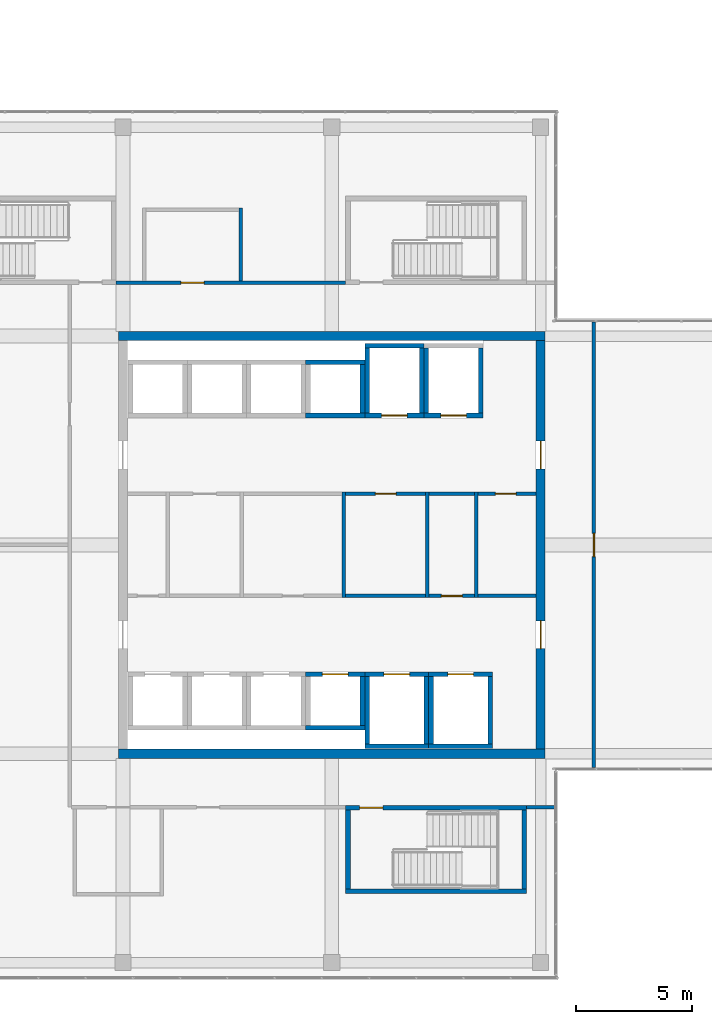
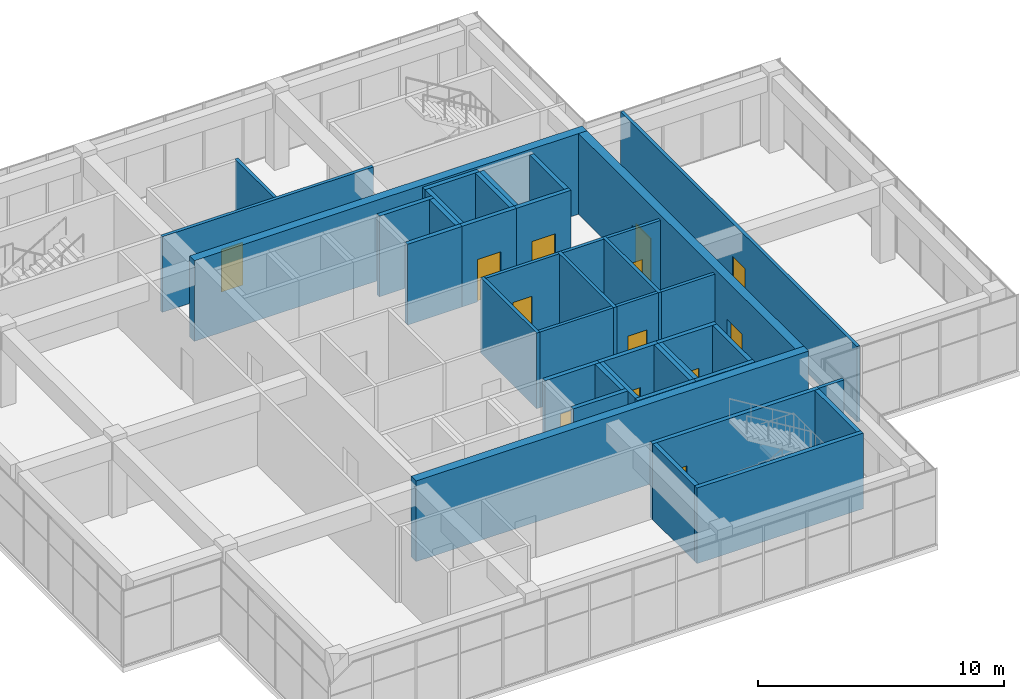
# One storey, part 40 of 43: 41 walls, 13 doors, 13 openings.
"""IFC4 building model written with IfcOpenShell, lengths in metres."""

from ifc_helpers import new_model, si_unit, direction, frame, frame_2d, origin, place, context, subcontext, project, spatial, rectangle, extrude, material, layer, layer_set, type_object, element, fill, save


model = new_model("IFC4")

# Units and contexts
model_context = context("Model", 3, precision=1e-05, world=origin(), true_north=direction((0.0, 1.0)))
body_context = subcontext(model_context, "Body", "Model", "MODEL_VIEW")
ifc_project = project(units=[si_unit("LENGTHUNIT", "METRE"), si_unit("AREAUNIT", "SQUARE_METRE"), si_unit("VOLUMEUNIT", "CUBIC_METRE"), si_unit("PLANEANGLEUNIT", "RADIAN"), si_unit("MASSUNIT", "GRAM", prefix="KILO")], contexts=[model_context])

# Site, building, storey
site_placement = place(None, origin())
site = spatial("IfcSite", under=ifc_project, at=site_placement, CompositionType="ELEMENT")
building_placement = place(site_placement, origin())
building = spatial("IfcBuilding", under=site, at=building_placement, Name="Tuart Plaza Theatre", CompositionType="ELEMENT")
storey_placement = place(building_placement, frame((0.0, 0.0, 33.5)))
storey = spatial("IfcBuildingStorey", under=building, at=storey_placement, Name="L08", CompositionType="ELEMENT", Elevation=33.5)

# Walls
ifc_material_1 = material(Name="Masonry block", Category="masonry")
ifc_layer_1 = layer(ifc_material_1, 0.14990234375)
ifc_layer_set_1 = layer_set([ifc_layer_1], Name="PARTITION BLK150 MASONRYB FRL -/120/120")
wall_type_1 = type_object("IfcWallType", Name="PARTITION BLK150 MASONRYB FRL -/120/120", PredefinedType="PARTITIONING", material=ifc_layer_set_1)
for number, where, z_axis, x_axis, name in (
    (1, (132.52490234375, 71.72509765625, 0.0), (0.0, 0.0, 1.0), (0.0, 1.0, 0.0), "P642"),
    (2, (136.125, 71.72509765625, 0.0), (0.0, 0.0, 1.0), (0.0, 1.0, 0.0), "P645"),
):
    element("IfcWall", number, at=place(storey_placement, frame(where, z_axis=z_axis, x_axis=x_axis)), inside=storey, type_object=wall_type_1, Name=name, PredefinedType="PARTITIONING", context=body_context, shape_type="SweptSolid", body=[
        extrude(rectangle(XDim=4.5498046875, YDim=0.14990234375, at=frame_2d((2.27490234375, 0.0))), origin(), (0.0, 0.0, 1.0), 3.75),
    ])
wall_1_placement = place(storey_placement, frame((132.60009765625, 71.800048828125, 0.0), z_axis=(0.0, 0.0, 1.0), x_axis=(1.0, 0.0, 0.0)))
element("IfcWall", 3, at=wall_1_placement, inside=storey, type_object=wall_type_1, Name="P646", PredefinedType="PARTITIONING", context=body_context, shape_type="SweptSolid", body=[
    extrude(rectangle(XDim=3.449951171875, YDim=0.14990234375, at=frame_2d((1.72509765625, 0.0))), origin(), (0.0, 0.0, 1.0), 3.75),
])

# Wall, opening, door
wall_2_placement = place(storey_placement, frame((132.60009765625, 76.199951171875, 0.0), z_axis=(0.0, 0.0, 1.0), x_axis=(1.0, 0.0, 0.0)))
wall_2 = element("IfcWall", 4, at=wall_2_placement, inside=storey, type_object=wall_type_1, Name="P647", PredefinedType="PARTITIONING", context=body_context, shape_type="SweptSolid", body=[
    extrude(rectangle(XDim=3.449951171875, YDim=0.14990234375, at=frame_2d((1.72509765625, 0.0))), origin(), (0.0, 0.0, 1.0), 3.75),
])
opening_1_placement = place(wall_2_placement, frame((1.27490234375, 0.0, 0.0)))
opening_1 = element("IfcOpeningElement", 5, at=opening_1_placement, cuts=wall_2, Name="Opening L08-019", PredefinedType="OPENING", context=body_context, shape_type="SweptSolid", body=[
    extrude(rectangle(XDim=0.89990234375, YDim=2.10009765625, at=frame_2d((0.449951171875, 1.050048828125))), frame((0.0, 0.0849609375, 0.0), z_axis=(0.0, -1.0, 0.0), x_axis=(1.0, 0.0, 0.0)), (0.0, 0.0, 1.0), 0.169921875),
])
ifc_material_2 = material(Name="Steel Grade 300", Category="steel")
door_type_1 = type_object("IfcDoorType", Name="DOOR 900x2100 steel single swing FRL -/120/30", OperationType="SINGLE_SWING_LEFT", PredefinedType="DOOR", material=ifc_material_2)
door_1_placement = place(opening_1_placement, frame((0.89990234375, 0.0, 0.0), z_axis=(0.0, 0.0, 1.0), x_axis=(-1.0, 0.0, 0.0)))
door_1 = element("IfcDoor", 6, at=door_1_placement, inside=storey, type_object=door_type_1, Name="L08-019", OperationType="SINGLE_SWING_LEFT", OverallHeight=2.10009765625, OverallWidth=0.89990234375, PredefinedType="DOOR", context=body_context, shape_type="SweptSolid", body=[
    extrude(rectangle(XDim=0.89990234375, YDim=2.10009765625, at=frame_2d((0.449951171875, 1.050048828125))), frame((0.0, 0.02490234375, 0.0), z_axis=(0.0, -1.0, 0.0), x_axis=(1.0, 0.0, 0.0)), (0.0, 0.0, 1.0), 0.050048828125),
])
fill(opening_1, door_1)

# Wall
wall_3_placement = place(storey_placement, frame((138.22509765625, 71.72509765625, 0.0), z_axis=(0.0, 0.0, 1.0), x_axis=(0.0, 1.0, 0.0)))
element("IfcWall", 7, at=wall_3_placement, inside=storey, type_object=wall_type_1, Name="P648", PredefinedType="PARTITIONING", context=body_context, shape_type="SweptSolid", body=[
    extrude(rectangle(XDim=4.5498046875, YDim=0.14990234375, at=frame_2d((2.27490234375, 0.0))), origin(), (0.0, 0.0, 1.0), 3.75),
])

# Wall, opening, door
wall_4_placement = place(storey_placement, frame((136.199951171875, 71.800048828125, 0.0), z_axis=(0.0, 0.0, 1.0), x_axis=(1.0, 0.0, 0.0)))
wall_4 = element("IfcWall", 8, at=wall_4_placement, inside=storey, type_object=wall_type_1, Name="P649", PredefinedType="PARTITIONING", context=body_context, shape_type="SweptSolid", body=[
    extrude(rectangle(XDim=1.949951171875, YDim=0.14990234375, at=frame_2d((0.97509765625, 0.0))), origin(), (0.0, 0.0, 1.0), 3.75),
])
opening_2_placement = place(wall_4_placement, frame((0.52490234375, 0.0, 0.0)))
opening_2 = element("IfcOpeningElement", 9, at=opening_2_placement, cuts=wall_4, Name="Opening L08-020", PredefinedType="OPENING", context=body_context, shape_type="SweptSolid", body=[
    extrude(rectangle(XDim=0.89990234375, YDim=2.10009765625, at=frame_2d((0.449951171875, 1.050048828125))), frame((0.0, 0.0849609375, 0.0), z_axis=(0.0, -1.0, 0.0), x_axis=(1.0, 0.0, 0.0)), (0.0, 0.0, 1.0), 0.169921875),
])
door_2_placement = place(opening_2_placement, origin())
door_2 = element("IfcDoor", 10, at=door_2_placement, inside=storey, type_object=door_type_1, Name="L08-020", OperationType="SINGLE_SWING_LEFT", OverallHeight=2.10009765625, OverallWidth=0.89990234375, PredefinedType="DOOR", context=body_context, shape_type="SweptSolid", body=[
    extrude(rectangle(XDim=0.89990234375, YDim=2.10009765625, at=frame_2d((0.449951171875, 1.050048828125))), frame((0.0, 0.02490234375, 0.0), z_axis=(0.0, -1.0, 0.0), x_axis=(1.0, 0.0, 0.0)), (0.0, 0.0, 1.0), 0.050048828125),
])
fill(opening_2, door_2)

# Walls
wall_5_placement = place(storey_placement, frame((136.199951171875, 76.199951171875, 0.0), z_axis=(0.0, 0.0, 1.0), x_axis=(1.0, 0.0, 0.0)))
element("IfcWall", 11, at=wall_5_placement, inside=storey, type_object=wall_type_1, Name="P650", PredefinedType="PARTITIONING", context=body_context, shape_type="SweptSolid", body=[
    extrude(rectangle(XDim=1.949951171875, YDim=0.14990234375, at=frame_2d((0.97509765625, 0.0))), origin(), (0.0, 0.0, 1.0), 3.75),
])
wall_6_placement = place(storey_placement, frame((138.300048828125, 71.800048828125, 0.0), z_axis=(0.0, 0.0, 1.0), x_axis=(1.0, 0.0, 0.0)))
element("IfcWall", 12, at=wall_6_placement, inside=storey, type_object=wall_type_1, Name="P651", PredefinedType="PARTITIONING", context=body_context, shape_type="SweptSolid", body=[
    extrude(rectangle(XDim=2.5, YDim=0.14990234375, at=frame_2d((1.25, 0.0))), origin(), (0.0, 0.0, 1.0), 3.75),
])

# Wall, opening, door
wall_7_placement = place(storey_placement, frame((138.300048828125, 76.199951171875, 0.0), z_axis=(0.0, 0.0, 1.0), x_axis=(1.0, 0.0, 0.0)))
wall_7 = element("IfcWall", 13, at=wall_7_placement, inside=storey, type_object=wall_type_1, Name="P652", PredefinedType="PARTITIONING", context=body_context, shape_type="SweptSolid", body=[
    extrude(rectangle(XDim=2.5, YDim=0.14990234375, at=frame_2d((1.25, 0.0))), origin(), (0.0, 0.0, 1.0), 3.75),
])
opening_3_placement = place(wall_7_placement, frame((0.75, 0.0, 0.0)))
opening_3 = element("IfcOpeningElement", 14, at=opening_3_placement, cuts=wall_7, Name="Opening L08-021", PredefinedType="OPENING", context=body_context, shape_type="SweptSolid", body=[
    extrude(rectangle(XDim=0.89990234375, YDim=2.10009765625, at=frame_2d((0.449951171875, 1.050048828125))), frame((0.0, 0.0849609375, 0.0), z_axis=(0.0, -1.0, 0.0), x_axis=(1.0, 0.0, 0.0)), (0.0, 0.0, 1.0), 0.169921875),
])
door_3_placement = place(opening_3_placement, frame((0.89990234375, 0.0, 0.0), z_axis=(0.0, 0.0, 1.0), x_axis=(-1.0, 0.0, 0.0)))
door_3 = element("IfcDoor", 15, at=door_3_placement, inside=storey, type_object=door_type_1, Name="L08-021", OperationType="SINGLE_SWING_LEFT", OverallHeight=2.10009765625, OverallWidth=0.89990234375, PredefinedType="DOOR", context=body_context, shape_type="SweptSolid", body=[
    extrude(rectangle(XDim=0.89990234375, YDim=2.10009765625, at=frame_2d((0.449951171875, 1.050048828125))), frame((0.0, 0.02490234375, 0.0), z_axis=(0.0, -1.0, 0.0), x_axis=(1.0, 0.0, 0.0)), (0.0, 0.0, 1.0), 0.050048828125),
])
fill(opening_3, door_3)

# Wall
ifc_material_3 = material(Name="Masonry block", Category="masonry")
ifc_layer_2 = layer(ifc_material_3, 0.14990234375)
ifc_layer_set_2 = layer_set([ifc_layer_2], Name="PARTITION BLK150 MASONRYB FRL 120/-/-")
wall_type_2 = type_object("IfcWallType", Name="PARTITION BLK150 MASONRYB FRL 120/-/-", PredefinedType="PARTITIONING", material=ifc_layer_set_2)
wall_8_placement = place(storey_placement, frame((141.60009765625, 62.699951171875, 0.0), z_axis=(0.0, 0.0, 1.0), x_axis=(-1.0, 0.0, 0.0)))
element("IfcWall", 16, at=wall_8_placement, inside=storey, type_object=wall_type_2, Name="P655", PredefinedType="PARTITIONING", context=body_context, shape_type="SweptSolid", body=[
    extrude(rectangle(XDim=1.2001953125, YDim=0.14990234375, at=frame_2d((0.60009765625, 0.0))), origin(), (0.0, 0.0, 1.0), 3.75),
])

# Wall, opening, door
wall_9_placement = place(storey_placement, frame((143.300048828125, 83.60009765625, 0.0), z_axis=(0.0, 0.0, 1.0), x_axis=(0.0, -1.0, 0.0)))
wall_9 = element("IfcWall", 17, at=wall_9_placement, inside=storey, type_object=wall_type_2, Name="P656", PredefinedType="PARTITIONING", context=body_context, shape_type="SweptSolid", body=[
    extrude(rectangle(XDim=19.2001953125, YDim=0.14990234375, at=frame_2d((9.60009765625, 0.0))), origin(), (0.0, 0.0, 1.0), 3.75),
])
opening_4_placement = place(wall_9_placement, frame((9.10009765625, 0.0, 0.0)))
opening_4 = element("IfcOpeningElement", 18, at=opening_4_placement, cuts=wall_9, Name="Opening L08-025", PredefinedType="OPENING", context=body_context, shape_type="SweptSolid", body=[
    extrude(rectangle(XDim=1.0, YDim=2.10009765625, at=frame_2d((0.5, 1.050048828125))), frame((0.0, 0.0849609375, 0.0), z_axis=(0.0, -1.0, 0.0), x_axis=(1.0, 0.0, 0.0)), (0.0, 0.0, 1.0), 0.169921875),
])
ifc_material_4 = material(Name="Timber", Category="wood")
door_type_2 = type_object("IfcDoorType", Name="DOOR 1000x2100 timber single swing FRL -/60/30", OperationType="SINGLE_SWING_LEFT", PredefinedType="DOOR", material=ifc_material_4)
door_4_placement = place(opening_4_placement, origin())
door_4 = element("IfcDoor", 19, at=door_4_placement, inside=storey, type_object=door_type_2, Name="L08-025", OperationType="SINGLE_SWING_LEFT", OverallHeight=2.10009765625, OverallWidth=1.0, PredefinedType="DOOR", context=body_context, shape_type="SweptSolid", body=[
    extrude(rectangle(XDim=1.0, YDim=2.10009765625, at=frame_2d((0.5, 1.050048828125))), frame((0.0, 0.02490234375, 0.0), z_axis=(0.0, -1.0, 0.0), x_axis=(1.0, 0.0, 0.0)), (0.0, 0.0, 1.0), 0.050048828125),
])
fill(opening_4, door_4)

wall_10_placement = place(storey_placement, frame((122.699951171875, 85.300048828125, 0.0), z_axis=(0.0, 0.0, 1.0), x_axis=(1.0, 0.0, 0.0)))
wall_10 = element("IfcWall", 20, at=wall_10_placement, inside=storey, type_object=wall_type_2, Name="P657", PredefinedType="PARTITIONING", context=body_context, shape_type="SweptSolid", body=[
    extrude(rectangle(XDim=9.900146484375, YDim=0.14990234375, at=frame_2d((4.9501953125, 0.0))), origin(), (0.0, 0.0, 1.0), 3.75),
])
opening_5_placement = place(wall_10_placement, frame((2.800048828125, 0.0, 0.0)))
opening_5 = element("IfcOpeningElement", 21, at=opening_5_placement, cuts=wall_10, Name="Opening L08-023", PredefinedType="OPENING", context=body_context, shape_type="SweptSolid", body=[
    extrude(rectangle(XDim=1.0, YDim=2.10009765625, at=frame_2d((0.5, 1.050048828125))), frame((0.0, 0.0849609375, 0.0), z_axis=(0.0, -1.0, 0.0), x_axis=(1.0, 0.0, 0.0)), (0.0, 0.0, 1.0), 0.169921875),
])
door_5_placement = place(opening_5_placement, origin())
door_5 = element("IfcDoor", 22, at=door_5_placement, inside=storey, type_object=door_type_2, Name="L08-023", OperationType="SINGLE_SWING_LEFT", OverallHeight=2.10009765625, OverallWidth=1.0, PredefinedType="DOOR", context=body_context, shape_type="SweptSolid", body=[
    extrude(rectangle(XDim=1.0, YDim=2.10009765625, at=frame_2d((0.5, 1.050048828125))), frame((0.0, 0.02490234375, 0.0), z_axis=(0.0, -1.0, 0.0), x_axis=(1.0, 0.0, 0.0)), (0.0, 0.0, 1.0), 0.050048828125),
])
fill(opening_5, door_5)

# Walls
wall_11_placement = place(storey_placement, frame((128.074951171875, 85.375, 0.0), z_axis=(0.0, 0.0, 1.0), x_axis=(0.0, 1.0, 0.0)))
element("IfcWall", 23, at=wall_11_placement, inside=storey, type_object=wall_type_2, Name="P665", PredefinedType="PARTITIONING", context=body_context, shape_type="SweptSolid", body=[
    extrude(rectangle(XDim=3.14990234375, YDim=0.14990234375, at=frame_2d((1.574951171875, 0.0))), origin(), (0.0, 0.0, 1.0), 3.75),
])
ifc_material_5 = material(Name="Concrete N40 (40 MPa)", Category="concrete")
ifc_layer_3 = layer(ifc_material_5, 0.199951171875)
ifc_layer_set_3 = layer_set([ifc_layer_3], Name="SHEAR WALL RC200 FRL 120/120/120")
wall_type_3 = type_object("IfcWallType", Name="SHEAR WALL RC200 FRL 120/120/120", PredefinedType="SHEAR", material=ifc_layer_set_3)
wall_12_placement = place(storey_placement, frame((130.875, 66.125, 0.0), z_axis=(0.0, 0.0, 1.0), x_axis=(1.0, 0.0, 0.0)))
element("IfcWall", 24, at=wall_12_placement, inside=storey, type_object=wall_type_3, Name="W714", PredefinedType="SHEAR", context=body_context, shape_type="SweptSolid", body=[
    extrude(rectangle(XDim=2.550048828125, YDim=0.199951171875, at=frame_2d((1.27490234375, 0.0))), origin(), (0.0, 0.0, 1.0), 4.0),
])
wall_13_placement = place(storey_placement, frame((133.324951171875, 66.22509765625, 0.0), z_axis=(0.0, 0.0, 1.0), x_axis=(0.0, 1.0, 0.0)))
element("IfcWall", 25, at=wall_13_placement, inside=storey, type_object=wall_type_3, Name="W715", PredefinedType="SHEAR", context=body_context, shape_type="SweptSolid", body=[
    extrude(rectangle(XDim=2.099853515625, YDim=0.199951171875, at=frame_2d((1.0498046875, 0.0))), origin(), (0.0, 0.0, 1.0), 4.0),
])

# Wall, opening, door
wall_14_placement = place(storey_placement, frame((133.425048828125, 68.425048828125, 0.0), z_axis=(0.0, 0.0, 1.0), x_axis=(-1.0, 0.0, 0.0)))
wall_14 = element("IfcWall", 26, at=wall_14_placement, inside=storey, type_object=wall_type_3, Name="W716", PredefinedType="SHEAR", context=body_context, shape_type="SweptSolid", body=[
    extrude(rectangle(XDim=2.550048828125, YDim=0.199951171875, at=frame_2d((1.27490234375, 0.0))), origin(), (0.0, 0.0, 1.0), 4.0),
])
opening_6_placement = place(wall_14_placement, frame((0.72509765625, 0.0, 0.0)))
opening_6 = element("IfcOpeningElement", 27, at=opening_6_placement, cuts=wall_14, Name="Opening L08-004", PredefinedType="OPENING", context=body_context, shape_type="SweptSolid", body=[
    extrude(rectangle(XDim=1.10009765625, YDim=2.10009765625, at=frame_2d((0.550048828125, 1.050048828125))), frame((0.0, 0.10986328125, 0.0), z_axis=(0.0, -1.0, 0.0), x_axis=(1.0, 0.0, 0.0)), (0.0, 0.0, 1.0), 0.219970703125),
])
ifc_material_6 = material(Name="Steel Grade 300", Category="steel")
door_type_3 = type_object("IfcDoorType", Name="LANDING DOOR 1100x2100 steel sliding FRL -/120/30", OperationType="SLIDING_TO_LEFT", PredefinedType="DOOR", material=ifc_material_6)
door_6_placement = place(opening_6_placement, origin())
door_6 = element("IfcDoor", 28, at=door_6_placement, inside=storey, type_object=door_type_3, Name="L08-004", OperationType="SLIDING_TO_LEFT", OverallHeight=2.10009765625, OverallWidth=1.10009765625, PredefinedType="DOOR", context=body_context, shape_type="SweptSolid", body=[
    extrude(rectangle(XDim=1.10009765625, YDim=2.10009765625, at=frame_2d((0.550048828125, 1.050048828125))), frame((0.0, 0.02490234375, 0.0), z_axis=(0.0, -1.0, 0.0), x_axis=(1.0, 0.0, 0.0)), (0.0, 0.0, 1.0), 0.050048828125),
])
fill(opening_6, door_6)

# Walls
wall_15_placement = place(storey_placement, frame((130.875, 79.574951171875, 0.0), z_axis=(0.0, 0.0, 1.0), x_axis=(1.0, 0.0, 0.0)))
element("IfcWall", 29, at=wall_15_placement, inside=storey, type_object=wall_type_3, Name="W974", PredefinedType="SHEAR", context=body_context, shape_type="SweptSolid", body=[
    extrude(rectangle(XDim=2.550048828125, YDim=0.199951171875, at=frame_2d((1.27490234375, 0.0))), origin(), (0.0, 0.0, 1.0), 4.0),
])
wall_16_placement = place(storey_placement, frame((133.324951171875, 79.675048828125, 0.0), z_axis=(0.0, 0.0, 1.0), x_axis=(0.0, 1.0, 0.0)))
element("IfcWall", 30, at=wall_16_placement, inside=storey, type_object=wall_type_3, Name="W975", PredefinedType="SHEAR", context=body_context, shape_type="SweptSolid", body=[
    extrude(rectangle(XDim=2.099853515625, YDim=0.199951171875, at=frame_2d((1.0498046875, 0.0))), origin(), (0.0, 0.0, 1.0), 4.0),
])
wall_17_placement = place(storey_placement, frame((133.425048828125, 81.875, 0.0), z_axis=(0.0, 0.0, 1.0), x_axis=(-1.0, 0.0, 0.0)))
element("IfcWall", 31, at=wall_17_placement, inside=storey, type_object=wall_type_3, Name="W976", PredefinedType="SHEAR", context=body_context, shape_type="SweptSolid", body=[
    extrude(rectangle(XDim=2.550048828125, YDim=0.199951171875, at=frame_2d((1.27490234375, 0.0))), origin(), (0.0, 0.0, 1.0), 4.0),
])
wall_18_placement = place(storey_placement, frame((133.425048828125, 65.324951171875, 0.0), z_axis=(0.0, 0.0, 1.0), x_axis=(1.0, 0.0, 0.0)))
element("IfcWall", 32, at=wall_18_placement, inside=storey, type_object=wall_type_3, Name="W1046", PredefinedType="SHEAR", context=body_context, shape_type="SweptSolid", body=[
    extrude(rectangle(XDim=2.75, YDim=0.199951171875, at=frame_2d((1.375, 0.0))), origin(), (0.0, 0.0, 1.0), 4.0),
])
wall_19_placement = place(storey_placement, frame((136.074951171875, 65.425048828125, 0.0), z_axis=(0.0, 0.0, 1.0), x_axis=(0.0, 1.0, 0.0)))
element("IfcWall", 33, at=wall_19_placement, inside=storey, type_object=wall_type_3, Name="W1047", PredefinedType="SHEAR", context=body_context, shape_type="SweptSolid", body=[
    extrude(rectangle(XDim=2.89990234375, YDim=0.199951171875, at=frame_2d((1.449951171875, 0.0))), origin(), (0.0, 0.0, 1.0), 4.0),
])

# Wall, opening, door
wall_20_placement = place(storey_placement, frame((136.175048828125, 68.425048828125, 0.0), z_axis=(0.0, 0.0, 1.0), x_axis=(-1.0, 0.0, 0.0)))
wall_20 = element("IfcWall", 34, at=wall_20_placement, inside=storey, type_object=wall_type_3, Name="W1048", PredefinedType="SHEAR", context=body_context, shape_type="SweptSolid", body=[
    extrude(rectangle(XDim=2.75, YDim=0.199951171875, at=frame_2d((1.375, 0.0))), origin(), (0.0, 0.0, 1.0), 4.0),
])
opening_7_placement = place(wall_20_placement, frame((0.824951171875, 0.0, 0.0)))
opening_7 = element("IfcOpeningElement", 35, at=opening_7_placement, cuts=wall_20, Name="Opening L08-005", PredefinedType="OPENING", context=body_context, shape_type="SweptSolid", body=[
    extrude(rectangle(XDim=1.10009765625, YDim=2.10009765625, at=frame_2d((0.550048828125, 1.050048828125))), frame((0.0, 0.10986328125, 0.0), z_axis=(0.0, -1.0, 0.0), x_axis=(1.0, 0.0, 0.0)), (0.0, 0.0, 1.0), 0.219970703125),
])
door_7_placement = place(opening_7_placement, origin())
door_7 = element("IfcDoor", 36, at=door_7_placement, inside=storey, type_object=door_type_3, Name="L08-005", OperationType="SLIDING_TO_LEFT", OverallHeight=2.10009765625, OverallWidth=1.10009765625, PredefinedType="DOOR", context=body_context, shape_type="SweptSolid", body=[
    extrude(rectangle(XDim=1.10009765625, YDim=2.10009765625, at=frame_2d((0.550048828125, 1.050048828125))), frame((0.0, 0.02490234375, 0.0), z_axis=(0.0, -1.0, 0.0), x_axis=(1.0, 0.0, 0.0)), (0.0, 0.0, 1.0), 0.050048828125),
])
fill(opening_7, door_7)

# Walls
wall_21_placement = place(storey_placement, frame((133.52490234375, 68.324951171875, 0.0), z_axis=(0.0, 0.0, 1.0), x_axis=(0.0, -1.0, 0.0)))
element("IfcWall", 37, at=wall_21_placement, inside=storey, type_object=wall_type_3, Name="W1049", PredefinedType="SHEAR", context=body_context, shape_type="SweptSolid", body=[
    extrude(rectangle(XDim=2.89990234375, YDim=0.199951171875, at=frame_2d((1.449951171875, 0.0))), origin(), (0.0, 0.0, 1.0), 4.0),
])
wall_22_placement = place(storey_placement, frame((136.175048828125, 65.324951171875, 0.0), z_axis=(0.0, 0.0, 1.0), x_axis=(1.0, 0.0, 0.0)))
element("IfcWall", 38, at=wall_22_placement, inside=storey, type_object=wall_type_3, Name="W1122", PredefinedType="SHEAR", context=body_context, shape_type="SweptSolid", body=[
    extrude(rectangle(XDim=2.75, YDim=0.199951171875, at=frame_2d((1.375, 0.0))), origin(), (0.0, 0.0, 1.0), 4.0),
])
wall_23_placement = place(storey_placement, frame((138.824951171875, 65.425048828125, 0.0), z_axis=(0.0, 0.0, 1.0), x_axis=(0.0, 1.0, 0.0)))
element("IfcWall", 39, at=wall_23_placement, inside=storey, type_object=wall_type_3, Name="W1123", PredefinedType="SHEAR", context=body_context, shape_type="SweptSolid", body=[
    extrude(rectangle(XDim=2.89990234375, YDim=0.199951171875, at=frame_2d((1.449951171875, 0.0))), origin(), (0.0, 0.0, 1.0), 4.0),
])

# Wall, opening, door
wall_24_placement = place(storey_placement, frame((138.925048828125, 68.425048828125, 0.0), z_axis=(0.0, 0.0, 1.0), x_axis=(-1.0, 0.0, 0.0)))
wall_24 = element("IfcWall", 40, at=wall_24_placement, inside=storey, type_object=wall_type_3, Name="W1124", PredefinedType="SHEAR", context=body_context, shape_type="SweptSolid", body=[
    extrude(rectangle(XDim=2.75, YDim=0.199951171875, at=frame_2d((1.375, 0.0))), origin(), (0.0, 0.0, 1.0), 4.0),
])
opening_8_placement = place(wall_24_placement, frame((0.824951171875, 0.0, 0.0)))
opening_8 = element("IfcOpeningElement", 41, at=opening_8_placement, cuts=wall_24, Name="Opening L08-006", PredefinedType="OPENING", context=body_context, shape_type="SweptSolid", body=[
    extrude(rectangle(XDim=1.10009765625, YDim=2.10009765625, at=frame_2d((0.550048828125, 1.050048828125))), frame((0.0, 0.10986328125, 0.0), z_axis=(0.0, -1.0, 0.0), x_axis=(1.0, 0.0, 0.0)), (0.0, 0.0, 1.0), 0.219970703125),
])
door_8_placement = place(opening_8_placement, origin())
door_8 = element("IfcDoor", 42, at=door_8_placement, inside=storey, type_object=door_type_3, Name="L08-006", OperationType="SLIDING_TO_LEFT", OverallHeight=2.10009765625, OverallWidth=1.10009765625, PredefinedType="DOOR", context=body_context, shape_type="SweptSolid", body=[
    extrude(rectangle(XDim=1.10009765625, YDim=2.10009765625, at=frame_2d((0.550048828125, 1.050048828125))), frame((0.0, 0.02490234375, 0.0), z_axis=(0.0, -1.0, 0.0), x_axis=(1.0, 0.0, 0.0)), (0.0, 0.0, 1.0), 0.050048828125),
])
fill(opening_8, door_8)

# Wall
wall_25_placement = place(storey_placement, frame((136.27490234375, 68.324951171875, 0.0), z_axis=(0.0, 0.0, 1.0), x_axis=(0.0, -1.0, 0.0)))
element("IfcWall", 43, at=wall_25_placement, inside=storey, type_object=wall_type_3, Name="W1125", PredefinedType="SHEAR", context=body_context, shape_type="SweptSolid", body=[
    extrude(rectangle(XDim=2.89990234375, YDim=0.199951171875, at=frame_2d((1.449951171875, 0.0))), origin(), (0.0, 0.0, 1.0), 4.0),
])

# Wall, opening, door
wall_26_placement = place(storey_placement, frame((133.425048828125, 79.574951171875, 0.0), z_axis=(0.0, 0.0, 1.0), x_axis=(1.0, 0.0, 0.0)))
wall_26 = element("IfcWall", 44, at=wall_26_placement, inside=storey, type_object=wall_type_3, Name="W1198", PredefinedType="SHEAR", context=body_context, shape_type="SweptSolid", body=[
    extrude(rectangle(XDim=2.550048828125, YDim=0.199951171875, at=frame_2d((1.27490234375, 0.0))), origin(), (0.0, 0.0, 1.0), 4.0),
])
opening_9_placement = place(wall_26_placement, frame((0.72509765625, 0.0, 0.0)))
opening_9 = element("IfcOpeningElement", 45, at=opening_9_placement, cuts=wall_26, Name="Opening L08-007", PredefinedType="OPENING", context=body_context, shape_type="SweptSolid", body=[
    extrude(rectangle(XDim=1.10009765625, YDim=2.10009765625, at=frame_2d((0.550048828125, 1.050048828125))), frame((0.0, 0.10986328125, 0.0), z_axis=(0.0, -1.0, 0.0), x_axis=(1.0, 0.0, 0.0)), (0.0, 0.0, 1.0), 0.219970703125),
])
door_9_placement = place(opening_9_placement, origin())
door_9 = element("IfcDoor", 46, at=door_9_placement, inside=storey, type_object=door_type_3, Name="L08-007", OperationType="SLIDING_TO_LEFT", OverallHeight=2.10009765625, OverallWidth=1.10009765625, PredefinedType="DOOR", context=body_context, shape_type="SweptSolid", body=[
    extrude(rectangle(XDim=1.10009765625, YDim=2.10009765625, at=frame_2d((0.550048828125, 1.050048828125))), frame((0.0, 0.02490234375, 0.0), z_axis=(0.0, -1.0, 0.0), x_axis=(1.0, 0.0, 0.0)), (0.0, 0.0, 1.0), 0.050048828125),
])
fill(opening_9, door_9)

# Walls
wall_27_placement = place(storey_placement, frame((135.875, 79.675048828125, 0.0), z_axis=(0.0, 0.0, 1.0), x_axis=(0.0, 1.0, 0.0)))
element("IfcWall", 47, at=wall_27_placement, inside=storey, type_object=wall_type_3, Name="W1199", PredefinedType="SHEAR", context=body_context, shape_type="SweptSolid", body=[
    extrude(rectangle(XDim=2.800048828125, YDim=0.199951171875, at=frame_2d((1.39990234375, 0.0))), origin(), (0.0, 0.0, 1.0), 4.0),
])
wall_28_placement = place(storey_placement, frame((135.97509765625, 82.574951171875, 0.0), z_axis=(0.0, 0.0, 1.0), x_axis=(-1.0, 0.0, 0.0)))
element("IfcWall", 48, at=wall_28_placement, inside=storey, type_object=wall_type_3, Name="W1200", PredefinedType="SHEAR", context=body_context, shape_type="SweptSolid", body=[
    extrude(rectangle(XDim=2.550048828125, YDim=0.199951171875, at=frame_2d((1.27490234375, 0.0))), origin(), (0.0, 0.0, 1.0), 4.0),
])
wall_29_placement = place(storey_placement, frame((133.52490234375, 82.47509765625, 0.0), z_axis=(0.0, 0.0, 1.0), x_axis=(0.0, -1.0, 0.0)))
element("IfcWall", 49, at=wall_29_placement, inside=storey, type_object=wall_type_3, Name="W1201", PredefinedType="SHEAR", context=body_context, shape_type="SweptSolid", body=[
    extrude(rectangle(XDim=2.800048828125, YDim=0.199951171875, at=frame_2d((1.39990234375, 0.0))), origin(), (0.0, 0.0, 1.0), 4.0),
])

# Wall, opening, door
wall_30_placement = place(storey_placement, frame((135.97509765625, 79.574951171875, 0.0), z_axis=(0.0, 0.0, 1.0), x_axis=(1.0, 0.0, 0.0)))
wall_30 = element("IfcWall", 50, at=wall_30_placement, inside=storey, type_object=wall_type_3, Name="W1274", PredefinedType="SHEAR", context=body_context, shape_type="SweptSolid", body=[
    extrude(rectangle(XDim=2.5498046875, YDim=0.199951171875, at=frame_2d((1.27490234375, 0.0))), origin(), (0.0, 0.0, 1.0), 4.0),
])
opening_10_placement = place(wall_30_placement, frame((0.72509765625, 0.0, 0.0)))
opening_10 = element("IfcOpeningElement", 51, at=opening_10_placement, cuts=wall_30, Name="Opening L08-008", PredefinedType="OPENING", context=body_context, shape_type="SweptSolid", body=[
    extrude(rectangle(XDim=1.10009765625, YDim=2.10009765625, at=frame_2d((0.550048828125, 1.050048828125))), frame((0.0, 0.10986328125, 0.0), z_axis=(0.0, -1.0, 0.0), x_axis=(1.0, 0.0, 0.0)), (0.0, 0.0, 1.0), 0.219970703125),
])
door_10_placement = place(opening_10_placement, origin())
door_10 = element("IfcDoor", 52, at=door_10_placement, inside=storey, type_object=door_type_3, Name="L08-008", OperationType="SLIDING_TO_LEFT", OverallHeight=2.10009765625, OverallWidth=1.10009765625, PredefinedType="DOOR", context=body_context, shape_type="SweptSolid", body=[
    extrude(rectangle(XDim=1.10009765625, YDim=2.10009765625, at=frame_2d((0.550048828125, 1.050048828125))), frame((0.0, 0.02490234375, 0.0), z_axis=(0.0, -1.0, 0.0), x_axis=(1.0, 0.0, 0.0)), (0.0, 0.0, 1.0), 0.050048828125),
])
fill(opening_10, door_10)

# Walls
for number, where, z_axis, x_axis, name in (
    (53, (138.425048828125, 79.675048828125, 0.0), (0.0, 0.0, 1.0), (0.0, 1.0, 0.0), "W1275"),
    (54, (136.074951171875, 82.47509765625, 0.0), (0.0, 0.0, 1.0), (0.0, -1.0, 0.0), "W1277"),
):
    element("IfcWall", number, at=place(storey_placement, frame(where, z_axis=z_axis, x_axis=x_axis)), inside=storey, type_object=wall_type_3, Name=name, PredefinedType="SHEAR", context=body_context, shape_type="SweptSolid", body=[
        extrude(rectangle(XDim=2.800048828125, YDim=0.199951171875, at=frame_2d((1.39990234375, 0.0))), origin(), (0.0, 0.0, 1.0), 4.0),
    ])
wall_31_placement = place(storey_placement, frame((132.60009765625, 59.074951171875, 0.0), z_axis=(0.0, 0.0, 1.0), x_axis=(1.0, 0.0, 0.0)))
element("IfcWall", 55, at=wall_31_placement, inside=storey, type_object=wall_type_3, Name="P404", PredefinedType="SHEAR", context=body_context, shape_type="SweptSolid", body=[
    extrude(rectangle(XDim=7.7998046875, YDim=0.199951171875, at=frame_2d((3.89990234375, 0.0))), origin(), (0.0, 0.0, 1.0), 3.75),
])
wall_32_placement = place(storey_placement, frame((140.300048828125, 59.175048828125, 0.0), z_axis=(0.0, 0.0, 1.0), x_axis=(0.0, 1.0, 0.0)))
element("IfcWall", 56, at=wall_32_placement, inside=storey, type_object=wall_type_3, Name="P405", PredefinedType="SHEAR", context=body_context, shape_type="SweptSolid", body=[
    extrude(rectangle(XDim=3.39990234375, YDim=0.199951171875, at=frame_2d((1.699951171875, 0.0))), origin(), (0.0, 0.0, 1.0), 3.75),
])

# Wall, opening, door
wall_33_placement = place(storey_placement, frame((140.39990234375, 62.675048828125, 0.0), z_axis=(0.0, 0.0, 1.0), x_axis=(-1.0, 0.0, 0.0)))
wall_33 = element("IfcWall", 57, at=wall_33_placement, inside=storey, type_object=wall_type_3, Name="P406", PredefinedType="SHEAR", context=body_context, shape_type="SweptSolid", body=[
    extrude(rectangle(XDim=7.7998046875, YDim=0.199951171875, at=frame_2d((3.89990234375, 0.0))), origin(), (0.0, 0.0, 1.0), 3.75),
])
opening_11_placement = place(wall_33_placement, frame((6.199951171875, 0.0, 0.0)))
opening_11 = element("IfcOpeningElement", 58, at=opening_11_placement, cuts=wall_33, Name="Opening L08-009", PredefinedType="OPENING", context=body_context, shape_type="SweptSolid", body=[
    extrude(rectangle(XDim=1.0, YDim=2.10009765625, at=frame_2d((0.5, 1.050048828125))), frame((0.0, 0.10986328125, 0.0), z_axis=(0.0, -1.0, 0.0), x_axis=(1.0, 0.0, 0.0)), (0.0, 0.0, 1.0), 0.219970703125),
])
ifc_material_7 = material(Name="Steel Grade 300", Category="steel")
door_type_4 = type_object("IfcDoorType", Name="DOOR 1000x2100 steel single swing FRL -/120/30", OperationType="SINGLE_SWING_LEFT", PredefinedType="DOOR", material=ifc_material_7)
door_11_placement = place(opening_11_placement, origin())
door_11 = element("IfcDoor", 59, at=door_11_placement, inside=storey, type_object=door_type_4, Name="L08-009", OperationType="SINGLE_SWING_LEFT", OverallHeight=2.10009765625, OverallWidth=1.0, PredefinedType="DOOR", context=body_context, shape_type="SweptSolid", body=[
    extrude(rectangle(XDim=1.0, YDim=2.10009765625, at=frame_2d((0.5, 1.050048828125))), frame((0.0, 0.02490234375, 0.0), z_axis=(0.0, -1.0, 0.0), x_axis=(1.0, 0.0, 0.0)), (0.0, 0.0, 1.0), 0.050048828125),
])
fill(opening_11, door_11)

# Walls
wall_34_placement = place(storey_placement, frame((132.699951171875, 62.574951171875, 0.0), z_axis=(0.0, 0.0, 1.0), x_axis=(0.0, -1.0, 0.0)))
element("IfcWall", 60, at=wall_34_placement, inside=storey, type_object=wall_type_3, Name="P407", PredefinedType="SHEAR", context=body_context, shape_type="SweptSolid", body=[
    extrude(rectangle(XDim=3.39990234375, YDim=0.199951171875, at=frame_2d((1.699951171875, 0.0))), origin(), (0.0, 0.0, 1.0), 3.75),
])
ifc_material_8 = material(Name="Concrete N50 (50 MPa)", Category="concrete")
ifc_layer_4 = layer(ifc_material_8, 0.39990234375)
ifc_layer_set_4 = layer_set([ifc_layer_4], Name="SHEAR WALL RC400 N50 FRL 120/120/120")
wall_type_4 = type_object("IfcWallType", Name="SHEAR WALL RC400 N50 FRL 120/120/120", PredefinedType="SHEAR", material=ifc_layer_set_4)
wall_35_placement = place(storey_placement, frame((122.800048828125, 65.0, 0.0), z_axis=(0.0, 0.0, 1.0), x_axis=(1.0, 0.0, 0.0)))
element("IfcWall", 61, at=wall_35_placement, inside=storey, type_object=wall_type_4, Name="W395", PredefinedType="SHEAR", context=body_context, shape_type="SweptSolid", body=[
    extrude(rectangle(XDim=18.39990234375, YDim=0.39990234375, at=frame_2d((9.199951171875, 0.0))), origin(), (0.0, 0.0, 1.0), 4.0),
])

# Wall, openings, doors
wall_36_placement = place(storey_placement, frame((141.0, 65.199951171875, 0.0), z_axis=(0.0, 0.0, 1.0), x_axis=(0.0, 1.0, 0.0)))
wall_36 = element("IfcWall", 62, at=wall_36_placement, inside=storey, type_object=wall_type_4, Name="W396", PredefinedType="SHEAR", context=body_context, shape_type="SweptSolid", body=[
    extrude(rectangle(XDim=17.60009765625, YDim=0.39990234375, at=frame_2d((8.800048828125, 0.0))), origin(), (0.0, 0.0, 1.0), 4.0),
])
opening_12_placement = place(wall_36_placement, frame((4.324951171875, 0.0, 0.0)))
opening_12 = element("IfcOpeningElement", 63, at=opening_12_placement, cuts=wall_36, Name="Opening L08-013", PredefinedType="OPENING", context=body_context, shape_type="SweptSolid", body=[
    extrude(rectangle(XDim=1.199951171875, YDim=2.10009765625, at=frame_2d((0.60009765625, 1.050048828125))), frame((0.0, 0.2099609375, 0.0), z_axis=(0.0, -1.0, 0.0), x_axis=(1.0, 0.0, 0.0)), (0.0, 0.0, 1.0), 0.419921875),
])
opening_13_placement = place(wall_36_placement, frame((12.074951171875, 0.0, 0.0)))
opening_13 = element("IfcOpeningElement", 64, at=opening_13_placement, cuts=wall_36, Name="Opening L08-015", PredefinedType="OPENING", context=body_context, shape_type="SweptSolid", body=[
    extrude(rectangle(XDim=1.199951171875, YDim=2.10009765625, at=frame_2d((0.60009765625, 1.050048828125))), frame((0.0, 0.2099609375, 0.0), z_axis=(0.0, -1.0, 0.0), x_axis=(1.0, 0.0, 0.0)), (0.0, 0.0, 1.0), 0.419921875),
])
ifc_material_9 = material(Name="Steel Grade 300", Category="steel")
door_type_5 = type_object("IfcDoorType", Name="DOOR 1200x2100 steel single swing FRL -/120/30", OperationType="SINGLE_SWING_LEFT", PredefinedType="DOOR", material=ifc_material_9)
door_12_placement = place(opening_12_placement, frame((1.199951171875, 0.0, 0.0), z_axis=(0.0, 0.0, 1.0), x_axis=(-1.0, 0.0, 0.0)))
door_12 = element("IfcDoor", 65, at=door_12_placement, inside=storey, type_object=door_type_5, Name="L08-013", OperationType="SINGLE_SWING_LEFT", OverallHeight=2.10009765625, OverallWidth=1.199951171875, PredefinedType="DOOR", context=body_context, shape_type="SweptSolid", body=[
    extrude(rectangle(XDim=1.199951171875, YDim=2.10009765625, at=frame_2d((0.60009765625, 1.050048828125))), frame((0.0, 0.02490234375, 0.0), z_axis=(0.0, -1.0, 0.0), x_axis=(1.0, 0.0, 0.0)), (0.0, 0.0, 1.0), 0.050048828125),
])
fill(opening_12, door_12)
door_13_placement = place(opening_13_placement, frame((1.199951171875, 0.0, 0.0), z_axis=(0.0, 0.0, 1.0), x_axis=(-1.0, 0.0, 0.0)))
door_13 = element("IfcDoor", 66, at=door_13_placement, inside=storey, type_object=door_type_5, Name="L08-015", OperationType="SINGLE_SWING_RIGHT", OverallHeight=2.10009765625, OverallWidth=1.199951171875, PredefinedType="DOOR", context=body_context, shape_type="SweptSolid", body=[
    extrude(rectangle(XDim=1.199951171875, YDim=2.10009765625, at=frame_2d((0.60009765625, 1.050048828125))), frame((0.0, 0.02490234375, 0.0), z_axis=(0.0, -1.0, 0.0), x_axis=(1.0, 0.0, 0.0)), (0.0, 0.0, 1.0), 0.050048828125),
])
fill(opening_13, door_13)

# Wall
wall_37_placement = place(storey_placement, frame((141.199951171875, 83.0, 0.0), z_axis=(0.0, 0.0, 1.0), x_axis=(-1.0, 0.0, 0.0)))
element("IfcWall", 67, at=wall_37_placement, inside=storey, type_object=wall_type_4, Name="W397", PredefinedType="SHEAR", context=body_context, shape_type="SweptSolid", body=[
    extrude(rectangle(XDim=18.39990234375, YDim=0.39990234375, at=frame_2d((9.199951171875, 0.0))), origin(), (0.0, 0.0, 1.0), 4.0),
])

save(model, "model.ifc")
